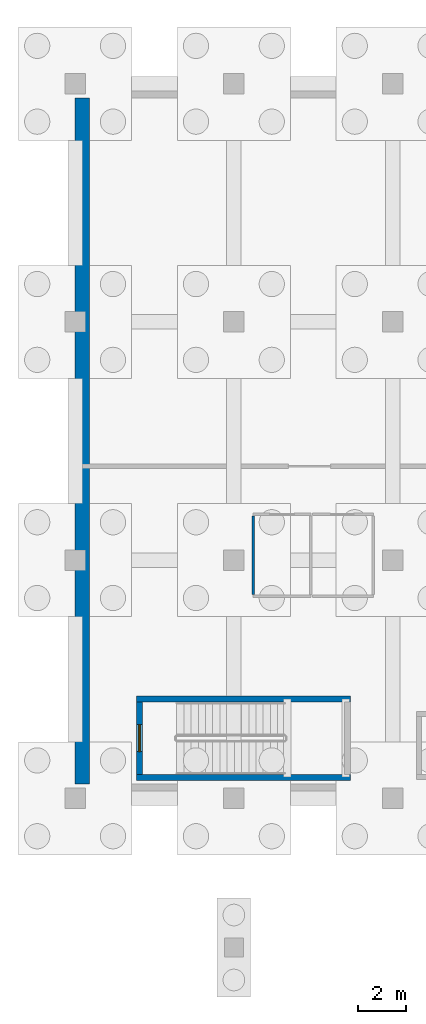
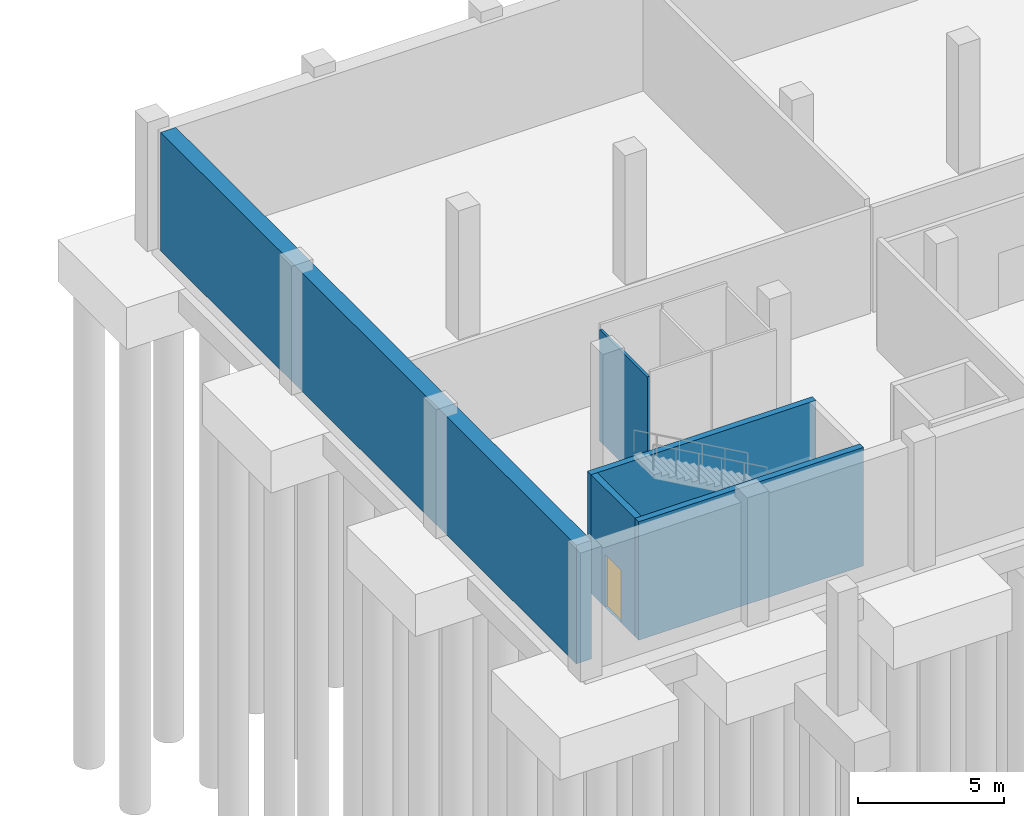
# One storey, part 12 of 23: 5 walls, 1 door, 1 opening.
"""IFC4 building model written with IfcOpenShell, lengths in metres."""

from ifc_helpers import new_model, si_unit, direction, frame, frame_2d, origin, place, context, subcontext, project, spatial, rectangle, extrude, material, layer, layer_set, type_object, element, fill, save


model = new_model("IFC4")

# Units and contexts
model_context = context("Model", 3, precision=1e-05, world=origin(), true_north=direction((0.0, 1.0)))
body_context = subcontext(model_context, "Body", "Model", "MODEL_VIEW")
ifc_project = project(units=[si_unit("LENGTHUNIT", "METRE"), si_unit("AREAUNIT", "SQUARE_METRE"), si_unit("VOLUMEUNIT", "CUBIC_METRE"), si_unit("PLANEANGLEUNIT", "RADIAN"), si_unit("MASSUNIT", "GRAM", prefix="KILO")], contexts=[model_context])

# Site, building, storey
site_placement = place(None, origin())
site = spatial("IfcSite", under=ifc_project, at=site_placement, CompositionType="ELEMENT")
building_placement = place(site_placement, origin())
building = spatial("IfcBuilding", under=site, at=building_placement, Name="Dornvale Research Institute", CompositionType="ELEMENT")
storey_placement = place(building_placement, frame((0.0, 0.0, -5.39990234375)))
storey = spatial("IfcBuildingStorey", under=building, at=storey_placement, Name="B1", CompositionType="ELEMENT", Elevation=-5.39990234375)

# Walls
ifc_material_1 = material(Name="Acoustic Insulated Double-Stud Laboratory Partition")
ifc_layer_1 = layer(ifc_material_1, 0.10009765625)
ifc_layer_set_1 = layer_set([ifc_layer_1], Name="Acoustic Insulated Double-Stud Laboratory Partition")
wall_type_1 = type_object("IfcWallType", Name="Partition_Office_100", PredefinedType="PARTITIONING", material=ifc_layer_set_1)
wall_1_placement = place(storey_placement, frame((126.199951171875, 100.864990234375, 0.0), z_axis=(0.0, 0.0, 1.0), x_axis=(0.0, 1.0, 0.0)))
element("IfcWall", 1, at=wall_1_placement, inside=storey, type_object=wall_type_1, Name="B1 V4 interior partition #29", PredefinedType="PARTITIONING", context=body_context, shape_type="SweptSolid", body=[
    extrude(rectangle(XDim=3.27001953125, YDim=0.10009765625, at=frame_2d((1.635009765625, 0.0))), origin(), (0.0, 0.0, 1.0), 4.664794921875),
])
ifc_material_2 = material(Name="Concrete f'c 40 MPa (C32/40)", Category="concrete")
ifc_layer_2 = layer(ifc_material_2, 0.60009765625)
ifc_layer_set_2 = layer_set([ifc_layer_2], Name="Concrete f'c 40 MPa (C32/40)")
wall_type_2 = type_object("IfcWallType", Name="RetainingWall_RC600_Ext", PredefinedType="USERDEFINED", material=ifc_layer_set_2)
wall_2_placement = place(storey_placement, frame((119.10009765625, 93.0, 0.0), z_axis=(0.0, 0.0, 1.0), x_axis=(0.0, 1.0, 0.0)))
element("IfcWall", 2, at=wall_2_placement, inside=storey, type_object=wall_type_2, Name="Basement perimeter retaining wall #7", ObjectType="RETAININGWALL", PredefinedType="USERDEFINED", context=body_context, shape_type="SweptSolid", body=[
    extrude(rectangle(XDim=28.5, YDim=0.60009765625, at=frame_2d((14.25, 0.0))), origin(), (0.0, 0.0, 1.0), 4.9599609375),
])
ifc_material_3 = material(Name="Concrete f'c 45 MPa (C35/45)", Category="concrete")
ifc_layer_3 = layer(ifc_material_3, 0.25)
ifc_layer_set_3 = layer_set([ifc_layer_3], Name="Concrete f'c 45 MPa (C35/45)")
wall_type_3 = type_object("IfcWallType", Name="ShearWall_Core_250", PredefinedType="SHEAR", material=ifc_layer_set_3)
for number, where, z_axis, x_axis, name in (
    (3, (121.35009765625, 93.27490234375, 0.0), (0.0, 0.0, 1.0), (1.0, 0.0, 0.0), "B1 ST-3 shaft shear wall south"),
    (4, (121.35009765625, 96.52490234375, 0.0), (0.0, 0.0, 1.0), (1.0, 0.0, 0.0), "B1 ST-3 shaft shear wall north"),
):
    element("IfcWall", number, at=place(storey_placement, frame(where, z_axis=z_axis, x_axis=x_axis)), inside=storey, type_object=wall_type_3, Name=name, PredefinedType="SHEAR", context=body_context, shape_type="SweptSolid", body=[
        extrude(rectangle(XDim=8.89990234375, YDim=0.25, at=frame_2d((4.449951171875, 0.0))), origin(), (0.0, 0.0, 1.0), 4.9599609375),
    ])

# Wall, opening, door
wall_3_placement = place(storey_placement, frame((121.47509765625, 93.39990234375, 0.0), z_axis=(0.0, 0.0, 1.0), x_axis=(0.0, 1.0, 0.0)))
wall_3 = element("IfcWall", 5, at=wall_3_placement, inside=storey, type_object=wall_type_3, Name="B1 ST-3 shaft shear wall west", PredefinedType="SHEAR", context=body_context, shape_type="SweptSolid", body=[
    extrude(rectangle(XDim=3.0, YDim=0.25, at=frame_2d((1.5, 0.0))), origin(), (0.0, 0.0, 1.0), 4.9599609375),
])
opening_placement = place(wall_3_placement, frame((0.93994140625, 0.0, 0.0)))
opening = element("IfcOpeningElement", 6, at=opening_placement, cuts=wall_3, Name="Opening SD-01", PredefinedType="OPENING", context=body_context, shape_type="SweptSolid", body=[
    extrude(rectangle(XDim=1.1201171875, YDim=2.199951171875, at=frame_2d((0.56005859375, 1.10009765625))), frame((0.0, 0.139892578125, 0.0), z_axis=(0.0, -1.0, 0.0), x_axis=(1.0, 0.0, 0.0)), (0.0, 0.0, 1.0), 0.280029296875),
])
ifc_material_4 = material(Name="Insulated Fire-Rated Hollow Metal Door Assembly")
door_type = type_object("IfcDoorType", Name="Door_Stair_1120x2200", OperationType="SINGLE_SWING_LEFT", PredefinedType="DOOR", material=ifc_material_4)
door_placement = place(opening_placement, origin())
door = element("IfcDoor", 7, at=door_placement, inside=storey, type_object=door_type, Name="B1 ST-3 exit stair door #25", OperationType="SINGLE_SWING_LEFT", OverallHeight=2.199951171875, OverallWidth=1.1201171875, PredefinedType="DOOR", context=body_context, shape_type="SweptSolid", body=[
    extrude(rectangle(XDim=1.1201171875, YDim=2.199951171875, at=frame_2d((0.56005859375, 1.10009765625))), frame((0.0, 0.02490234375, 0.0), z_axis=(0.0, -1.0, 0.0), x_axis=(1.0, 0.0, 0.0)), (0.0, 0.0, 1.0), 0.050048828125),
])
fill(opening, door)

save(model, "model.ifc")
